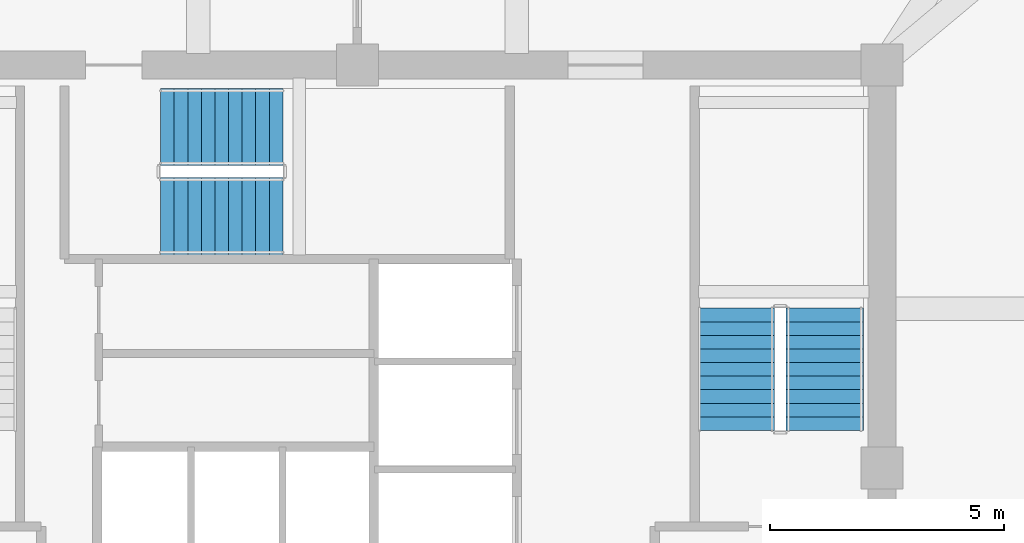
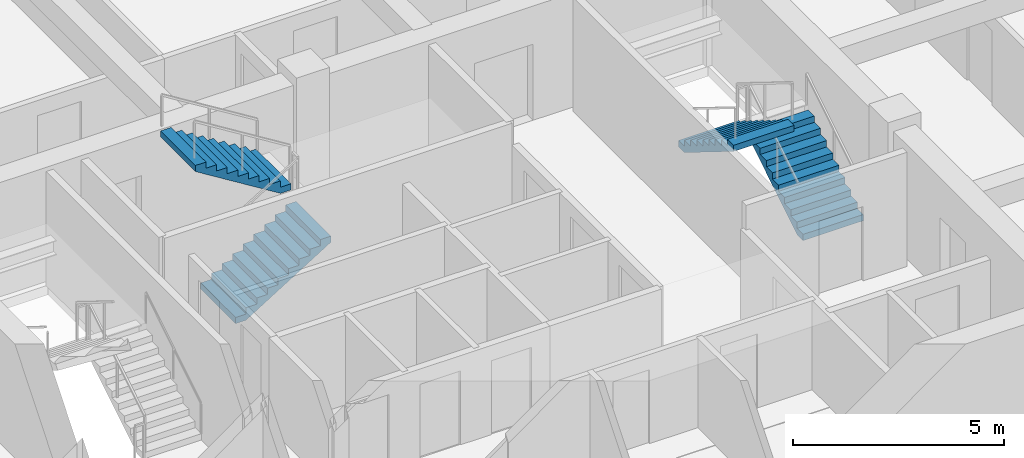
# One storey, part 11 of 13: 4 stair flights, 2 elements without a shape of their own.
"""IFC4 building model written with IfcOpenShell, lengths in metres."""

from ifc_helpers import new_model, si_unit, derived_unit, direction, frame, origin, place, context, subcontext, project, spatial, polyline, outline, extrude, material, type_object, element, aggregate, save


model = new_model("IFC4")

# Units and contexts
model_context = context("Model", 3, precision=1e-05, world=origin(), true_north=direction((0.0, 1.0)))
body_context = subcontext(model_context, "Body", "Model", "MODEL_VIEW")
ifc_project = project(units=[si_unit("LENGTHUNIT", "METRE"), si_unit("AREAUNIT", "SQUARE_METRE"), si_unit("VOLUMEUNIT", "CUBIC_METRE"), si_unit("PLANEANGLEUNIT", "RADIAN"), si_unit("MASSUNIT", "GRAM", prefix="KILO"), derived_unit("THERMALTRANSMITTANCEUNIT", [(si_unit("POWERUNIT", "WATT"), 1), (si_unit("LENGTHUNIT", "METRE"), -2), (si_unit("THERMODYNAMICTEMPERATUREUNIT", "KELVIN"), -1)])], contexts=[model_context])

# Site, building, storey
site_placement = place(None, origin())
site = spatial("IfcSite", under=ifc_project, at=site_placement, CompositionType="ELEMENT")
building_placement = place(site_placement, origin())
building = spatial("IfcBuilding", under=site, at=building_placement, Name="Koralith Skygarden Medical Center", CompositionType="ELEMENT")
storey_placement = place(building_placement, frame((0.0, 0.0, 228.780029296875)))
storey = spatial("IfcBuildingStorey", under=building, at=storey_placement, Name="L59", CompositionType="ELEMENT", Elevation=228.780029296875)

# Stair, stair flights
ifc_material = material(Name="Concrete C45/55", Category="concrete")
stair_type = type_object("IfcStairType", Name="Core Exit Dogleg Concrete Stair", PredefinedType="HALF_TURN_STAIR", material=ifc_material)
stair_1_placement = place(storey_placement, origin())
stair_1 = element("IfcStair", 1, at=stair_1_placement, inside=storey, type_object=stair_type, Name="L59 Smokeproof Exit Stair ST2", PredefinedType="HALF_TURN_STAIR")
stair_flight_type = type_object("IfcStairFlightType", Name="Core Exit Concrete Stair Flight 1650", PredefinedType="STRAIGHT", material=ifc_material)
stair_flight_1_placement = place(storey_placement, frame((46.97509765625, 26.699951171875, 0.0), z_axis=(0.0, 0.0, 1.0), x_axis=(0.0, 1.0, 0.0)))
stair_flight_1 = element("IfcStairFlight", 2, at=stair_flight_1_placement, type_object=stair_flight_type, Name="ST2 flight 1", NumberOfRisers=10, NumberOfTreads=9, PredefinedType="STRAIGHT", RiserHeight=0.18, TreadLength=0.29, context=body_context, shape_type="SweptSolid", body=[
    extrude(outline(polyline([(0.0, 0.0), (0.0, 0.179931640625), (0.2900390625, 0.179931640625), (0.2900390625, 0.360107421875), (0.580078125, 0.360107421875), (0.580078125, 0.5400390625), (0.8701171875, 0.5400390625), (0.8701171875, 0.719970703125), (1.159912109375, 0.719970703125), (1.159912109375, 0.89990234375), (1.449951171875, 0.89990234375), (1.449951171875, 1.080078125), (1.739990234375, 1.080078125), (1.739990234375, 1.260009765625), (2.030029296875, 1.260009765625), (2.030029296875, 1.43994140625), (2.320068359375, 1.43994140625), (2.320068359375, 1.6201171875), (2.610107421875, 1.6201171875), (2.610107421875, 1.800048828125), (2.610107421875, 1.443603515625), (0.2841796875, 0.0), (0.0, 0.0)])), frame((0.0, 0.824951171875, 0.0), z_axis=(0.0, -1.0, 0.0), x_axis=(1.0, 0.0, 0.0)), (0.0, 0.0, 1.0), 1.64990234375),
])
stair_flight_2_placement = place(storey_placement, frame((45.074951171875, 29.31005859375, 1.800048828125), z_axis=(0.0, 0.0, 1.0), x_axis=(0.0, -1.0, 0.0)))
stair_flight_2 = element("IfcStairFlight", 3, at=stair_flight_2_placement, type_object=stair_flight_type, Name="ST2 flight 2", NumberOfRisers=10, NumberOfTreads=9, PredefinedType="STRAIGHT", RiserHeight=0.18, TreadLength=0.29, context=body_context, shape_type="SweptSolid", body=[
    extrude(outline(polyline([(0.0, 0.0), (0.0, 0.179931640625), (0.2900390625, 0.179931640625), (0.2900390625, 0.360107421875), (0.580078125, 0.360107421875), (0.580078125, 0.5400390625), (0.8701171875, 0.5400390625), (0.8701171875, 0.719970703125), (1.159912109375, 0.719970703125), (1.159912109375, 0.89990234375), (1.449951171875, 0.89990234375), (1.449951171875, 1.080078125), (1.739990234375, 1.080078125), (1.739990234375, 1.260009765625), (2.030029296875, 1.260009765625), (2.030029296875, 1.43994140625), (2.320068359375, 1.43994140625), (2.320068359375, 1.6201171875), (2.610107421875, 1.6201171875), (2.610107421875, 1.800048828125), (2.610107421875, 1.443603515625), (0.2841796875, 0.0), (0.0, 0.0)])), frame((0.0, 0.824951171875, 0.0), z_axis=(0.0, -1.0, 0.0), x_axis=(1.0, 0.0, 0.0)), (0.0, 0.0, 1.0), 1.64990234375),
])
aggregate(stair_1, [stair_flight_1, stair_flight_2])

stair_2_placement = place(storey_placement, origin())
stair_2 = element("IfcStair", 4, at=stair_2_placement, inside=storey, type_object=stair_type, Name="L59 Smokeproof Exit Stair ST3", PredefinedType="HALF_TURN_STAIR")
stair_flight_3_placement = place(storey_placement, frame((32.800048828125, 31.27490234375, 0.0), z_axis=(0.0, 0.0, 1.0), x_axis=(1.0, 0.0, 0.0)))
stair_flight_3 = element("IfcStairFlight", 5, at=stair_flight_3_placement, type_object=stair_flight_type, Name="ST3 flight 1", NumberOfRisers=10, NumberOfTreads=9, PredefinedType="STRAIGHT", RiserHeight=0.18, TreadLength=0.29, context=body_context, shape_type="SweptSolid", body=[
    extrude(outline(polyline([(0.0, 0.0), (0.0, 0.179931640625), (0.2900390625, 0.179931640625), (0.2900390625, 0.360107421875), (0.580078125, 0.360107421875), (0.580078125, 0.5400390625), (0.8701171875, 0.5400390625), (0.8701171875, 0.719970703125), (1.159912109375, 0.719970703125), (1.159912109375, 0.89990234375), (1.449951171875, 0.89990234375), (1.449951171875, 1.080078125), (1.739990234375, 1.080078125), (1.739990234375, 1.260009765625), (2.030029296875, 1.260009765625), (2.030029296875, 1.43994140625), (2.320068359375, 1.43994140625), (2.320068359375, 1.6201171875), (2.610107421875, 1.6201171875), (2.610107421875, 1.800048828125), (2.610107421875, 1.443603515625), (0.2841796875, 0.0), (0.0, 0.0)])), frame((0.0, 0.824951171875, 0.0), z_axis=(0.0, -1.0, 0.0), x_axis=(1.0, 0.0, 0.0)), (0.0, 0.0, 1.0), 1.64990234375),
])
stair_flight_4_placement = place(storey_placement, frame((35.409912109375, 33.175048828125, 1.800048828125), z_axis=(0.0, 0.0, 1.0), x_axis=(-1.0, 0.0, 0.0)))
stair_flight_4 = element("IfcStairFlight", 6, at=stair_flight_4_placement, type_object=stair_flight_type, Name="ST3 flight 2", NumberOfRisers=10, NumberOfTreads=9, PredefinedType="STRAIGHT", RiserHeight=0.18, TreadLength=0.29, context=body_context, shape_type="SweptSolid", body=[
    extrude(outline(polyline([(0.0, 0.0), (0.0, 0.179931640625), (0.2900390625, 0.179931640625), (0.2900390625, 0.360107421875), (0.580078125, 0.360107421875), (0.580078125, 0.5400390625), (0.8701171875, 0.5400390625), (0.8701171875, 0.719970703125), (1.159912109375, 0.719970703125), (1.159912109375, 0.89990234375), (1.449951171875, 0.89990234375), (1.449951171875, 1.080078125), (1.739990234375, 1.080078125), (1.739990234375, 1.260009765625), (2.030029296875, 1.260009765625), (2.030029296875, 1.43994140625), (2.320068359375, 1.43994140625), (2.320068359375, 1.6201171875), (2.610107421875, 1.6201171875), (2.610107421875, 1.800048828125), (2.610107421875, 1.443603515625), (0.2841796875, 0.0), (0.0, 0.0)])), frame((0.0, 0.824951171875, 0.0), z_axis=(0.0, -1.0, 0.0), x_axis=(1.0, 0.0, 0.0)), (0.0, 0.0, 1.0), 1.64990234375),
])
aggregate(stair_2, [stair_flight_3, stair_flight_4])

save(model, "model.ifc")
